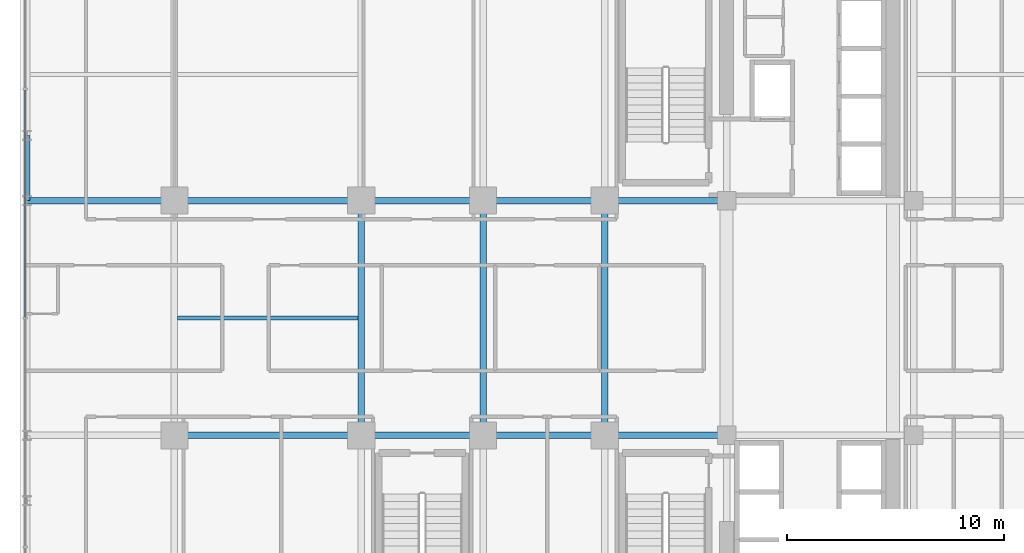
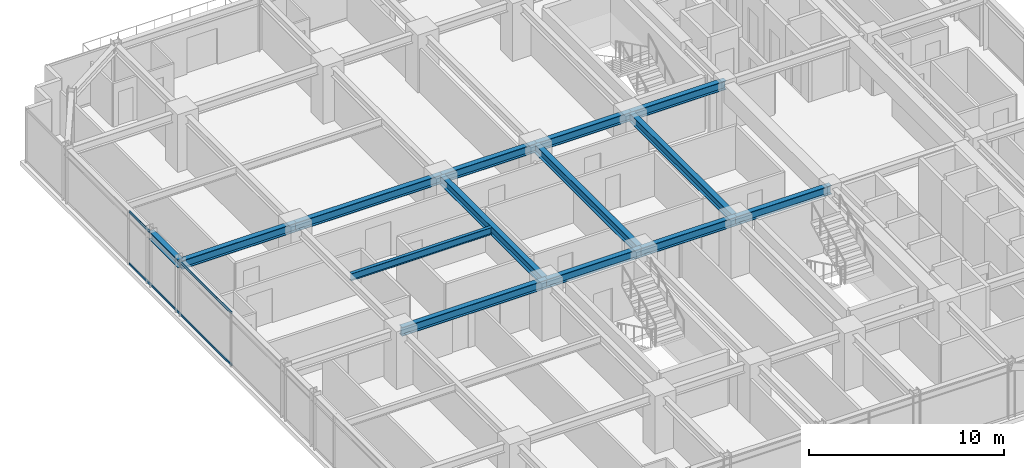
# One storey, part 9 of 34: 14 beams, 2 members, 1 element without a shape of its own.
"""IFC4 building model written with IfcOpenShell, lengths in metres."""

from ifc_helpers import new_model, si_unit, direction, frame, origin, origin_2d, place, context, subcontext, project, spatial, hollow_rectangle, i_section, extrude, source, transform, mapped, material, material_profile, profile_set, type_object, element, aggregate, save


model = new_model("IFC4")

# Units and contexts
model_context = context("Model", 3, precision=1e-05, world=origin(), true_north=direction((0.0, 1.0)))
body_context = subcontext(model_context, "Body", "Model", "MODEL_VIEW")
ifc_project = project(units=[si_unit("LENGTHUNIT", "METRE"), si_unit("AREAUNIT", "SQUARE_METRE"), si_unit("VOLUMEUNIT", "CUBIC_METRE"), si_unit("PLANEANGLEUNIT", "RADIAN"), si_unit("MASSUNIT", "GRAM", prefix="KILO")], contexts=[model_context])

# Site, building, storey
site_placement = place(None, origin())
site = spatial("IfcSite", under=ifc_project, at=site_placement, CompositionType="ELEMENT")
building_placement = place(site_placement, origin())
building = spatial("IfcBuilding", under=site, at=building_placement, Name="Nahalor Promenade Grand Hotel", CompositionType="ELEMENT")
storey_placement = place(building_placement, frame((0.0, 0.0, 128.449951171875)))
storey = spatial("IfcBuildingStorey", under=building, at=storey_placement, Name="L32", CompositionType="ELEMENT", Elevation=128.449951171875)

# Beams
ifc_material_1 = material(Name="Steel S355JR", Category="steel")
ifc_material_profile_1 = material_profile(ifc_material_1, i_section(OverallWidth=0.3, OverallDepth=0.5, WebThickness=0.0145, FlangeThickness=0.028, at=origin_2d()), Name="HEB 500")
ifc_profile_set_1 = profile_set([ifc_material_profile_1], Name="Steel S355JR")
beam_type_1 = type_object("IfcBeamType", Name="Beam-Spandrel-HEB500", PredefinedType="SPANDREL", material=ifc_profile_set_1)
shared_shape_1 = source(origin(), body_context, "Body", "SweptSolid", [
    extrude(i_section(OverallWidth=0.3, OverallDepth=0.5, WebThickness=0.0145, FlangeThickness=0.028, at=origin_2d()), origin(), (0.0, 0.0, 1.0), 3.0),
])
beam_1_placement = place(storey_placement, frame((-23.780029296875, 5.39990234375, 3.130126953125), z_axis=(0.0, 1.0, 0.0), x_axis=(-1.0, 0.0, 0.0)))
element("IfcBeam", 1, at=beam_1_placement, inside=storey, type_object=beam_type_1, Name="BM-L32-SP-W-3", PredefinedType="SPANDREL", context=body_context, shape_type="MappedRepresentation", body=[
    mapped(shared_shape_1, transform((0.0, 0.0, 0.0), scale=1.0)),
])
ifc_material_profile_2 = material_profile(ifc_material_1, i_section(OverallWidth=0.3, OverallDepth=0.55, WebThickness=0.015, FlangeThickness=0.029, at=origin_2d()), Name="HEB 550")
ifc_profile_set_2 = profile_set([ifc_material_profile_2], Name="Steel S355JR")
beam_type_2 = type_object("IfcBeamType", Name="Beam-Girder-HEB550", PredefinedType="BEAM", material=ifc_profile_set_2)
shared_shape_2 = source(origin(), body_context, "Body", "SweptSolid", [
    extrude(i_section(OverallWidth=0.3, OverallDepth=0.55, WebThickness=0.015, FlangeThickness=0.029, at=origin_2d()), origin(), (0.0, 0.0, 1.0), 6.780029296875),
])
beam_2_placement = place(storey_placement, frame((-23.780029296875, 5.39990234375, 3.10498046875), z_axis=(1.0, 0.0, 0.0), x_axis=(0.0, 1.0, 0.0)))
element("IfcBeam", 2, at=beam_2_placement, inside=storey, type_object=beam_type_2, Name="BM-L32-GX-2-0", PredefinedType="BEAM", context=body_context, shape_type="MappedRepresentation", body=[
    mapped(shared_shape_2, transform((0.0, 0.0, 0.0), scale=1.0)),
])
shared_shape_3 = source(origin(), body_context, "Body", "SweptSolid", [
    extrude(i_section(OverallWidth=0.3, OverallDepth=0.55, WebThickness=0.015, FlangeThickness=0.029, at=origin_2d()), origin(), (0.0, 0.0, 1.0), 8.60009765625),
])
for number, where, z_axis, x_axis, name in (
    (3, (-17.0, -5.39990234375, 3.10498046875), (1.0, 0.0, 0.0), (0.0, 1.0, 0.0), "BM-L32-GX-1-1"),
    (4, (-17.0, 5.39990234375, 3.10498046875), (1.0, 0.0, 0.0), (0.0, 1.0, 0.0), "BM-L32-GX-2-1"),
):
    element("IfcBeam", number, at=place(storey_placement, frame(where, z_axis=z_axis, x_axis=x_axis)), inside=storey, type_object=beam_type_2, Name=name, PredefinedType="BEAM", context=body_context, shape_type="MappedRepresentation", body=[
        mapped(shared_shape_3, transform((0.0, 0.0, 0.0), scale=1.0)),
    ])
shared_shape_4 = source(origin(), body_context, "Body", "SweptSolid", [
    extrude(i_section(OverallWidth=0.3, OverallDepth=0.55, WebThickness=0.015, FlangeThickness=0.029, at=origin_2d()), origin(), (0.0, 0.0, 1.0), 5.599853515625),
])
for number, where, z_axis, x_axis, name in (
    (5, (-8.39990234375, -5.39990234375, 3.10498046875), (1.0, 0.0, 0.0), (0.0, 1.0, 0.0), "BM-L32-GX-1-2"),
    (6, (2.800048828125, -5.39990234375, 3.10498046875), (1.0, 0.0, 0.0), (0.0, 1.0, 0.0), "BM-L32-GX-1-4"),
    (7, (-8.39990234375, 5.39990234375, 3.10498046875), (1.0, 0.0, 0.0), (0.0, 1.0, 0.0), "BM-L32-GX-2-2"),
    (8, (2.800048828125, 5.39990234375, 3.10498046875), (1.0, 0.0, 0.0), (0.0, 1.0, 0.0), "BM-L32-GX-2-4"),
):
    element("IfcBeam", number, at=place(storey_placement, frame(where, z_axis=z_axis, x_axis=x_axis)), inside=storey, type_object=beam_type_2, Name=name, PredefinedType="BEAM", context=body_context, shape_type="MappedRepresentation", body=[
        mapped(shared_shape_4, transform((0.0, 0.0, 0.0), scale=1.0)),
    ])
shared_shape_5 = source(origin(), body_context, "Body", "SweptSolid", [
    extrude(i_section(OverallWidth=0.3, OverallDepth=0.55, WebThickness=0.015, FlangeThickness=0.029, at=origin_2d()), origin(), (0.0, 0.0, 1.0), 5.60009765625),
])
for number, where, z_axis, x_axis, name in (
    (9, (-2.800048828125, -5.39990234375, 3.10498046875), (1.0, 0.0, 0.0), (0.0, 1.0, 0.0), "BM-L32-GX-1-3"),
    (10, (-2.800048828125, 5.39990234375, 3.10498046875), (1.0, 0.0, 0.0), (0.0, 1.0, 0.0), "BM-L32-GX-2-3"),
):
    element("IfcBeam", number, at=place(storey_placement, frame(where, z_axis=z_axis, x_axis=x_axis)), inside=storey, type_object=beam_type_2, Name=name, PredefinedType="BEAM", context=body_context, shape_type="MappedRepresentation", body=[
        mapped(shared_shape_5, transform((0.0, 0.0, 0.0), scale=1.0)),
    ])
shared_shape_6 = source(origin(), body_context, "Body", "SweptSolid", [
    extrude(i_section(OverallWidth=0.3, OverallDepth=0.55, WebThickness=0.015, FlangeThickness=0.029, at=origin_2d()), origin(), (0.0, 0.0, 1.0), 10.7998046875),
])
for number, where, z_axis, x_axis, name in (
    (11, (-8.39990234375, -5.39990234375, 3.10498046875), (0.0, 1.0, 0.0), (-1.0, 0.0, 0.0), "BM-L32-GY-1-2"),
    (12, (-2.800048828125, -5.39990234375, 3.10498046875), (0.0, 1.0, 0.0), (-1.0, 0.0, 0.0), "BM-L32-GY-2-2"),
    (13, (2.800048828125, -5.39990234375, 3.10498046875), (0.0, 1.0, 0.0), (-1.0, 0.0, 0.0), "BM-L32-GY-3-2"),
):
    element("IfcBeam", number, at=place(storey_placement, frame(where, z_axis=z_axis, x_axis=x_axis)), inside=storey, type_object=beam_type_2, Name=name, PredefinedType="BEAM", context=body_context, shape_type="MappedRepresentation", body=[
        mapped(shared_shape_6, transform((0.0, 0.0, 0.0), scale=1.0)),
    ])
ifc_material_profile_3 = material_profile(ifc_material_1, i_section(OverallWidth=0.19, OverallDepth=0.45, WebThickness=0.0094, FlangeThickness=0.0146, at=origin_2d()), Name="IPE 450")
ifc_profile_set_3 = profile_set([ifc_material_profile_3], Name="Steel S355JR")
beam_type_3 = type_object("IfcBeamType", Name="Beam-Joist-IPE450", PredefinedType="JOIST", material=ifc_profile_set_3)
shared_shape_7 = source(origin(), body_context, "Body", "SweptSolid", [
    extrude(i_section(OverallWidth=0.19, OverallDepth=0.45, WebThickness=0.0094, FlangeThickness=0.0146, at=origin_2d()), origin(), (0.0, 0.0, 1.0), 8.300048828125),
])
beam_3_placement = place(storey_placement, frame((-16.85009765625, 0.0, 3.155029296875), z_axis=(1.0, 0.0, 0.0), x_axis=(0.0, 1.0, 0.0)))
element("IfcBeam", 14, at=beam_3_placement, inside=storey, type_object=beam_type_3, Name="BM-L32-JSC-0", PredefinedType="JOIST", context=body_context, shape_type="MappedRepresentation", body=[
    mapped(shared_shape_7, transform((0.0, 0.0, 0.0), scale=1.0)),
])

# Curtain wall, members
ifc_material_2 = material(Name="Anodised Bronze Aluminium EN AW-6063 T6", Category="aluminium")
curtain_wall_type = type_object("IfcCurtainWallType", Name="CW2 Typical Hotel Flush Bronze Unitised Curtain Wall", PredefinedType="USERDEFINED", material=ifc_material_2)
curtain_wall_placement = place(storey_placement, origin())
curtain_wall = element("IfcCurtainWall", 15, at=curtain_wall_placement, inside=storey, type_object=curtain_wall_type, Name="L32 Curtain Wall CW-L32-W-1", ObjectType="UNITISED_CURTAIN_WALL", PredefinedType="USERDEFINED")
ifc_material_profile_4 = material_profile(ifc_material_2, hollow_rectangle(XDim=0.065, YDim=0.13, WallThickness=0.004, at=origin_2d()), Name="CWT 65x130x4")
ifc_profile_set_4 = profile_set([ifc_material_profile_4], Name="Anodised Bronze Aluminium EN AW-6063 T6")
member_type = type_object("IfcMemberType", Name="CWT2 Typical Bronze Transom 65x130", PredefinedType="USERDEFINED", material=ifc_profile_set_4)
shared_shape_8 = source(origin(), body_context, "Body", "SweptSolid", [
    extrude(hollow_rectangle(XDim=0.065, YDim=0.13, WallThickness=0.004, at=origin_2d()), origin(), (0.0, 0.0, 1.0), 10.465087890625),
])
member_1_placement = place(storey_placement, frame((-23.860107421875, 0.032470703125, 0.06494140625), z_axis=(0.0, 1.0, 0.0), x_axis=(-1.0, 0.0, 0.0)))
member_1 = element("IfcMember", 16, at=member_1_placement, type_object=member_type, Name="CW-L32-W-1 Transom 2-0", ObjectType="TRANSOM", PredefinedType="USERDEFINED", context=body_context, shape_type="MappedRepresentation", body=[
    mapped(shared_shape_8, transform((0.0, 0.0, 0.0), scale=1.0)),
])
member_2_placement = place(storey_placement, frame((-23.860107421875, 0.032470703125, 3.31494140625), z_axis=(0.0, 1.0, 0.0), x_axis=(-1.0, 0.0, 0.0)))
member_2 = element("IfcMember", 17, at=member_2_placement, type_object=member_type, Name="CW-L32-W-1 Transom 2-1", ObjectType="TRANSOM", PredefinedType="USERDEFINED", context=body_context, shape_type="MappedRepresentation", body=[
    mapped(shared_shape_8, transform((0.0, 0.0, 0.0), scale=1.0)),
])
aggregate(curtain_wall, [member_1, member_2])

save(model, "model.ifc")
